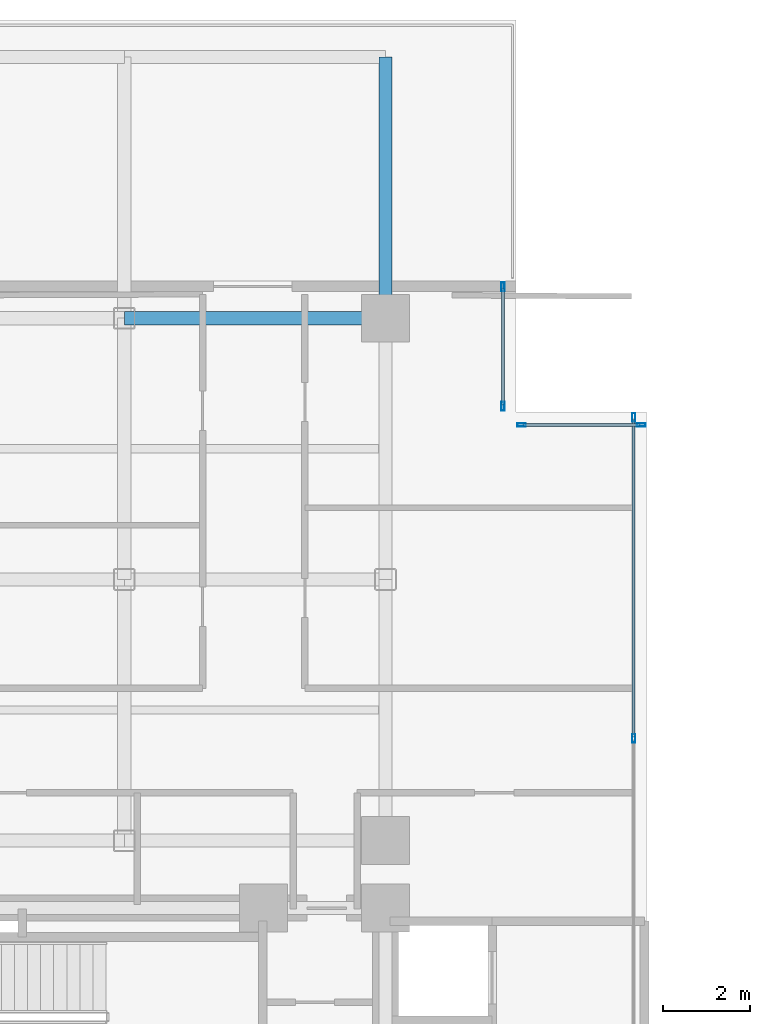
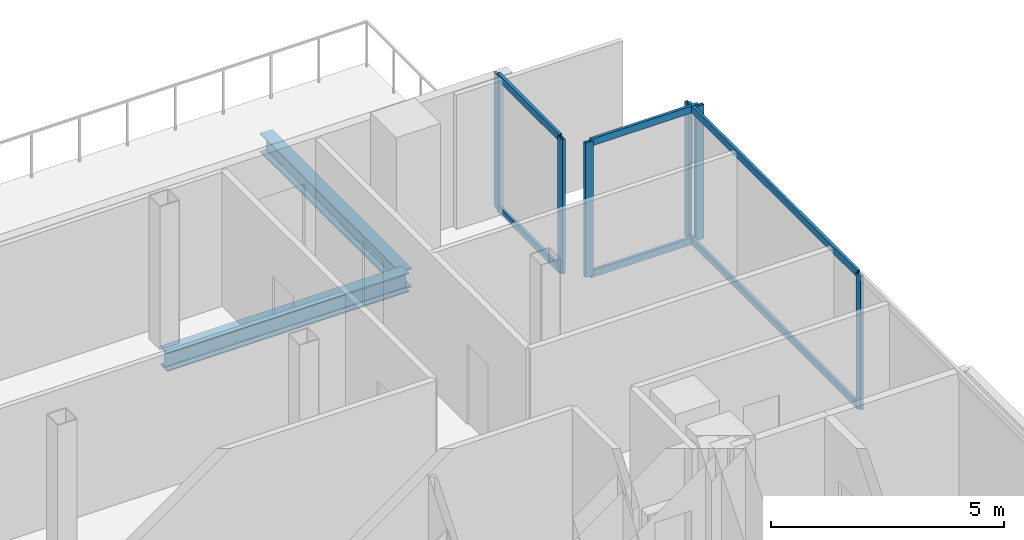
# One storey, part 17 of 26: 12 members, 2 beams, 3 elements without a shape of their own.
"""IFC4 building model written with IfcOpenShell, lengths in metres."""

import ifcopenshell
import ifcopenshell.guid

model = None  # the IFC model being written
_history = None  # IfcOwnerHistory: only IFC2X3 demands one
_inside = {}  # id of a spatial element -> (the spatial element, [elements in it])
_under = {}  # id of a project, library or spatial element -> (it, [spatial elements below it])
_declared = {}  # id of a project -> (the project, [libraries it declares])
_typed = {}  # id of a type object -> (the type object, [elements of that type])
_made_of = {}  # id of a material, layer set ... -> (it, [elements and type objects made of it])


def new_model(schema):
    """Start an empty IFC model of exactly this schema.

    Asked for "IFC4X3", IfcOpenShell would pick the latest addendum, in which some entities
    have other attributes; the version numbers below select the first issue.
    IFC2X3 requires an IfcOwnerHistory on every rooted entity: one is made here for all.
    """
    global model, _history
    if schema == "IFC4X3":
        model = ifcopenshell.file(schema_version=(4, 3, 0, 0))
    else:
        model = ifcopenshell.file(schema=schema)
    _inside.clear()
    _under.clear()
    _declared.clear()
    _typed.clear()
    _made_of.clear()
    _history = None
    if model.schema == "IFC2X3":
        org = make("IfcOrganization", Name="unknown")
        user = make(
            "IfcPersonAndOrganization",
            ThePerson=make("IfcPerson", FamilyName="unknown"),
            TheOrganization=org,
        )
        app = make(
            "IfcApplication",
            ApplicationDeveloper=org,
            Version="unknown",
            ApplicationFullName="unknown",
            ApplicationIdentifier="unknown",
        )
        _history = make(
            "IfcOwnerHistory",
            OwningUser=user,
            OwningApplication=app,
            ChangeAction="ADDED",
            CreationDate=0,
        )
    return model


def make(cls, **values):
    """One entity of the class cls with the attributes given. An attribute that is None is left unset."""
    return model.create_entity(
        cls, **{name: value for name, value in values.items() if value is not None}
    )


def rooted(cls, **values):
    """An entity with a GlobalId (a new one), such as an element, a storey or a relation."""
    return make(cls, GlobalId=ifcopenshell.guid.new(), OwnerHistory=_history, **values)


def si_unit(unit_type, name, prefix=None):
    """IfcSIUnit, for example si_unit("LENGTHUNIT", "METRE", prefix="MILLI")."""
    return make("IfcSIUnit", UnitType=unit_type, Prefix=prefix, Name=name)


def assignment(units):
    """IfcUnitAssignment: the units of a project."""
    return None if units is None else make("IfcUnitAssignment", Units=units)


def point(xyz):
    """IfcCartesianPoint."""
    return None if xyz is None else make("IfcCartesianPoint", Coordinates=xyz)


def direction(xyz):
    """IfcDirection."""
    return None if xyz is None else make("IfcDirection", DirectionRatios=xyz)


def frame(location, z_axis=None, x_axis=None):
    """IfcAxis2Placement3D, a coordinate frame: its origin and axes. An axis left out is left unset."""
    return make(
        "IfcAxis2Placement3D",
        Location=point(location),
        Axis=direction(z_axis),
        RefDirection=direction(x_axis),
    )


def frame_2d(location, x_axis=None):
    """IfcAxis2Placement2D, a coordinate frame in the plane: its origin and x axis."""
    return make(
        "IfcAxis2Placement2D", Location=point(location), RefDirection=direction(x_axis)
    )


def origin():
    """The frame at (0, 0, 0) with its axes left unset."""
    return frame((0.0, 0.0, 0.0))


def origin_2d():
    """The frame at (0, 0) in the plane with its x axis left unset."""
    return frame_2d((0.0, 0.0))


def place(relative_to, where):
    """IfcLocalPlacement: puts the frame where relative to a parent placement (None: the world)."""
    return make(
        "IfcLocalPlacement", PlacementRelTo=relative_to, RelativePlacement=where
    )


def context(
    kind, dimensions, precision=None, world=None, true_north=None, identifier=None
):
    """IfcGeometricRepresentationContext, for example the 3D "Model" context."""
    return make(
        "IfcGeometricRepresentationContext",
        ContextIdentifier=identifier,
        ContextType=kind,
        CoordinateSpaceDimension=dimensions,
        Precision=precision,
        WorldCoordinateSystem=world,
        TrueNorth=true_north,
    )


def subcontext(parent, identifier, kind, view, scale=None):
    """IfcGeometricRepresentationSubContext, for example "Body" below "Model"."""
    return make(
        "IfcGeometricRepresentationSubContext",
        ContextIdentifier=identifier,
        ContextType=kind,
        ParentContext=parent,
        TargetScale=scale,
        TargetView=view,
    )


def project(units=None, contexts=None):
    """IfcProject with its units and contexts."""
    return rooted(
        "IfcProject",
        Name="project",
        RepresentationContexts=contexts,
        UnitsInContext=assignment(units),
    )


def spatial(cls, under=None, at=None, **own):
    """A site, building, storey or space (cls), placed at a placement, below another one or the project."""
    s = rooted(cls, ObjectPlacement=at, **own)
    if under is not None:
        _under.setdefault(under.id(), (under, []))[1].append(s)
    return s


def profile(cls, at=None, kind="AREA", **sizes):
    """A parametric profile (cls). Its sizes go by their IFC names, for example OverallWidth=200.0."""
    return make(cls, ProfileType=kind, Position=at, **sizes)


def hollow_rectangle(**sizes):
    """IfcRectangleHollowProfileDef."""
    return profile("IfcRectangleHollowProfileDef", **sizes)


def i_section(**sizes):
    """IfcIShapeProfileDef."""
    return profile("IfcIShapeProfileDef", **sizes)


def extrude(swept, where, along, depth):
    """IfcExtrudedAreaSolid: the profile swept, set in the frame where, extruded along a direction by depth."""
    return make(
        "IfcExtrudedAreaSolid",
        SweptArea=swept,
        Position=where,
        ExtrudedDirection=direction(along),
        Depth=depth,
    )


def shape(context_of_items, identifier, shape_type, items):
    """IfcShapeRepresentation: the items that make up one representation, for example the "Body"."""
    return make(
        "IfcShapeRepresentation",
        ContextOfItems=context_of_items,
        RepresentationIdentifier=identifier,
        RepresentationType=shape_type,
        Items=items,
    )


def material(Name=None, Category=None):
    """IfcMaterial."""
    return make("IfcMaterial", Name=Name, Category=Category)


def layer(
    of_material, thickness, ventilated=None, Name=None, Category=None, Priority=None
):
    """IfcMaterialLayer: one layer of a wall or slab, of a material (None: an air gap)."""
    return make(
        "IfcMaterialLayer",
        Material=of_material,
        LayerThickness=thickness,
        IsVentilated=ventilated,
        Name=Name,
        Category=Category,
        Priority=Priority,
    )


def layer_set(layers, Name=None):
    """IfcMaterialLayerSet."""
    return make("IfcMaterialLayerSet", MaterialLayers=layers, LayerSetName=Name)


def material_profile(
    of_material, cross_section, Name=None, Category=None, Priority=None
):
    """IfcMaterialProfile: a cross section and its material."""
    return make(
        "IfcMaterialProfile",
        Name=Name,
        Material=of_material,
        Profile=cross_section,
        Priority=Priority,
        Category=Category,
    )


def profile_set(profiles, Name=None, composite=None):
    """IfcMaterialProfileSet."""
    return make(
        "IfcMaterialProfileSet",
        Name=Name,
        MaterialProfiles=profiles,
        CompositeProfile=composite,
    )


def made_of(thing, what):
    """Note that an element or type object is made of a material, layer set ...; save() writes the relation."""
    if what is not None:
        _made_of.setdefault(what.id(), (what, []))[1].append(thing)
    return thing


def type_object(cls, material=None, **own):
    """A type object (cls), such as IfcWallType, which elements share."""
    return made_of(rooted(cls, **own), material)


def element(
    cls,
    number,
    at=None,
    inside=None,
    cuts=None,
    type_object=None,
    material=None,
    context=None,
    identifier="Body",
    shape_type=None,
    held_by="IfcProductDefinitionShape",
    body=None,
    shapes=None,
    **own,
):
    """One element of the class cls, such as IfcWall. Its Tag is "e" and its number.

    at: its placement. inside: the storey or other place that contains it. cuts: it is an
    opening in that element (IfcRelVoidsElement). A single representation is given by context,
    identifier, shape_type and body (its items); several are given by shapes. held_by: the class
    of the entity that holds the representations. save() writes the other relations.
    """
    e = rooted(cls, Tag="e%d" % number, ObjectPlacement=at, **own)
    if body is not None:
        shapes = [shape(context, identifier, shape_type, body)]
    if shapes is not None:
        e.Representation = make(held_by, Representations=shapes)
    if inside is not None:
        _inside.setdefault(inside.id(), (inside, []))[1].append(e)
    if cuts is not None:
        rooted(
            "IfcRelVoidsElement", RelatingBuildingElement=cuts, RelatedOpeningElement=e
        )
    if type_object is not None:
        _typed.setdefault(type_object.id(), (type_object, []))[1].append(e)
    return made_of(e, material)


def aggregate(whole, parts):
    """IfcRelAggregates: a whole, such as a stair, and the parts it consists of."""
    return rooted("IfcRelAggregates", RelatingObject=whole, RelatedObjects=parts)


def save(model, path):
    """Write the relations noted so far, then the file.

    IfcRelAggregates (storeys below a building ...), IfcRelContainedInSpatialStructure (elements
    in a storey), IfcRelDefinesByType, IfcRelAssociatesMaterial and IfcRelDeclares: one each for
    every whole, place, type object, material and project.
    """
    for whole, parts in _under.values():
        aggregate(whole, parts)
    for where, things in _inside.values():
        rooted(
            "IfcRelContainedInSpatialStructure",
            RelatedElements=things,
            RelatingStructure=where,
        )
    for kind, things in _typed.values():
        rooted("IfcRelDefinesByType", RelatedObjects=things, RelatingType=kind)
    for what, things in _made_of.values():
        rooted("IfcRelAssociatesMaterial", RelatedObjects=things, RelatingMaterial=what)
    for by, libraries in _declared.values():
        rooted("IfcRelDeclares", RelatingContext=by, RelatedDefinitions=libraries)
    model.write(path)


model = new_model("IFC4")

# Units and contexts
model_context = context("Model", 3, precision=1e-05, world=origin(), true_north=direction((0.0, 1.0)))
body_context = subcontext(model_context, "Body", "Model", "MODEL_VIEW")
ifc_project = project(units=[si_unit("LENGTHUNIT", "METRE"), si_unit("AREAUNIT", "SQUARE_METRE"), si_unit("VOLUMEUNIT", "CUBIC_METRE"), si_unit("PLANEANGLEUNIT", "RADIAN"), si_unit("MASSUNIT", "GRAM", prefix="KILO"), si_unit("THERMODYNAMICTEMPERATUREUNIT", "KELVIN"), si_unit("POWERUNIT", "WATT")], contexts=[model_context])

# Site, building, storey
site_placement = place(None, origin())
site = spatial("IfcSite", under=ifc_project, at=site_placement, CompositionType="ELEMENT")
building_placement = place(site_placement, origin())
building = spatial("IfcBuilding", under=site, at=building_placement, Name="Svarakhadi Broadcast Tower", CompositionType="ELEMENT")
storey_placement = place(building_placement, frame((0.0, 0.0, 99.60009765625)))
storey = spatial("IfcBuildingStorey", under=building, at=storey_placement, Name="L23", CompositionType="ELEMENT", Elevation=99.60009765625)

# Curtain wall, members
ifc_material_1 = material(Name="Anodised Bronze Aluminium AA 6063-T6", Category="aluminium")
ifc_layer = layer(ifc_material_1, 0.199951171875)
ifc_layer_set = layer_set([ifc_layer], Name="Anodised Bronze Aluminium AA 6063-T6")
curtain_wall_type = type_object("IfcCurtainWallType", Name="CW_Sys_03", PredefinedType="NOTDEFINED", material=ifc_layer_set)
curtain_wall_1_placement = place(storey_placement, origin())
curtain_wall_1 = element("IfcCurtainWall", 1, at=curtain_wall_1_placement, inside=storey, type_object=curtain_wall_type, Name="L23 Unitised Facade Curtain Wall 06", PredefinedType="NOTDEFINED")
ifc_material_profile_1 = material_profile(ifc_material_1, hollow_rectangle(XDim=0.074951171875, YDim=0.199951171875, WallThickness=0.005615234375, at=origin_2d()), Name="ALU MULLION 200x75x6")
ifc_profile_set_1 = profile_set([ifc_material_profile_1], Name="Anodised Bronze Aluminium AA 6063-T6")
member_type_1 = type_object("IfcMemberType", Name="CW_Sys_03_Mul", PredefinedType="MULLION", material=ifc_profile_set_1)
member_1_placement = place(storey_placement, frame((20.699951171875, 41.87255859375, 0.0), z_axis=(0.0, 0.0, 1.0), x_axis=(1.0, 0.0, 0.0)))
member_1 = element("IfcMember", 2, at=member_1_placement, type_object=member_type_1, Name="CW-03 mullion 1", PredefinedType="MULLION", context=body_context, shape_type="SweptSolid", body=[
    extrude(hollow_rectangle(XDim=0.074951171875, YDim=0.199951171875, WallThickness=0.005615234375, at=origin_2d()), origin(), (0.0, 0.0, 1.0), 3.52490234375),
])
member_2_placement = place(storey_placement, frame((20.699951171875, 39.12744140625, 0.0), z_axis=(0.0, 0.0, 1.0), x_axis=(1.0, 0.0, 0.0)))
member_2 = element("IfcMember", 3, at=member_2_placement, type_object=member_type_1, Name="CW-03 mullion 2", PredefinedType="MULLION", context=body_context, shape_type="SweptSolid", body=[
    extrude(hollow_rectangle(XDim=0.074951171875, YDim=0.199951171875, WallThickness=0.005615234375, at=origin_2d()), origin(), (0.0, 0.0, 1.0), 3.52490234375),
])

curtain_wall_2_placement = place(storey_placement, origin())
curtain_wall_2 = element("IfcCurtainWall", 4, at=curtain_wall_2_placement, inside=storey, type_object=curtain_wall_type, Name="L23 Unitised Facade Curtain Wall 07", PredefinedType="NOTDEFINED")
member_3_placement = place(storey_placement, frame((21.12744140625, 38.699951171875, 0.0), z_axis=(0.0, 0.0, 1.0), x_axis=(0.0, 1.0, 0.0)))
member_3 = element("IfcMember", 5, at=member_3_placement, type_object=member_type_1, Name="CW-03 mullion 1", PredefinedType="MULLION", context=body_context, shape_type="SweptSolid", body=[
    extrude(hollow_rectangle(XDim=0.074951171875, YDim=0.199951171875, WallThickness=0.005615234375, at=origin_2d()), origin(), (0.0, 0.0, 1.0), 3.52490234375),
])
member_4_placement = place(storey_placement, frame((23.87255859375, 38.699951171875, 0.0), z_axis=(0.0, 0.0, 1.0), x_axis=(0.0, 1.0, 0.0)))
member_4 = element("IfcMember", 6, at=member_4_placement, type_object=member_type_1, Name="CW-03 mullion 2", PredefinedType="MULLION", context=body_context, shape_type="SweptSolid", body=[
    extrude(hollow_rectangle(XDim=0.074951171875, YDim=0.199951171875, WallThickness=0.005615234375, at=origin_2d()), origin(), (0.0, 0.0, 1.0), 3.52490234375),
])

curtain_wall_3_placement = place(storey_placement, origin())
curtain_wall_3 = element("IfcCurtainWall", 7, at=curtain_wall_3_placement, inside=storey, type_object=curtain_wall_type, Name="L23 Unitised Facade Curtain Wall 08", PredefinedType="NOTDEFINED")
member_5_placement = place(storey_placement, frame((23.699951171875, 38.87255859375, 0.0), z_axis=(0.0, 0.0, 1.0), x_axis=(1.0, 0.0, 0.0)))
member_5 = element("IfcMember", 8, at=member_5_placement, type_object=member_type_1, Name="CW-03 mullion 1", PredefinedType="MULLION", context=body_context, shape_type="SweptSolid", body=[
    extrude(hollow_rectangle(XDim=0.074951171875, YDim=0.199951171875, WallThickness=0.005615234375, at=origin_2d()), origin(), (0.0, 0.0, 1.0), 3.52490234375),
])
member_6_placement = place(storey_placement, frame((23.699951171875, 31.5, 0.0), z_axis=(0.0, 0.0, 1.0), x_axis=(1.0, 0.0, 0.0)))
member_6 = element("IfcMember", 9, at=member_6_placement, type_object=member_type_1, Name="CW-03 mullion 2", PredefinedType="MULLION", context=body_context, shape_type="SweptSolid", body=[
    extrude(hollow_rectangle(XDim=0.074951171875, YDim=0.199951171875, WallThickness=0.005615234375, at=origin_2d()), origin(), (0.0, 0.0, 1.0), 3.52490234375),
])

# Member
ifc_material_profile_2 = material_profile(ifc_material_1, hollow_rectangle(XDim=0.070068359375, YDim=0.18505859375, WallThickness=0.0048828125, at=origin_2d()), Name="ALU TRANSOM 185x70x5")
ifc_profile_set_2 = profile_set([ifc_material_profile_2], Name="Anodised Bronze Aluminium AA 6063-T6")
member_type_2 = type_object("IfcMemberType", Name="CW_Sys_03_Trn", PredefinedType="USERDEFINED", material=ifc_profile_set_2)
member_7_placement = place(storey_placement, frame((20.699951171875, 41.8349609375, 0.034912109375), z_axis=(0.0, -1.0, 0.0), x_axis=(1.0, 0.0, 0.0)))
member_7 = element("IfcMember", 10, at=member_7_placement, type_object=member_type_2, Name="CW-03 transom 1.1", ObjectType="TRANSOM", PredefinedType="USERDEFINED", context=body_context, shape_type="SweptSolid", body=[
    extrude(hollow_rectangle(XDim=0.070068359375, YDim=0.18505859375, WallThickness=0.0048828125, at=origin_2d()), origin(), (0.0, 0.0, 1.0), 2.669921875),
])

member_8_placement = place(storey_placement, frame((20.699951171875, 41.8349609375, 3.489990234375), z_axis=(0.0, -1.0, 0.0), x_axis=(1.0, 0.0, 0.0)))
member_8 = element("IfcMember", 11, at=member_8_placement, type_object=member_type_2, Name="CW-03 transom 1.2", ObjectType="TRANSOM", PredefinedType="USERDEFINED", context=body_context, shape_type="SweptSolid", body=[
    extrude(hollow_rectangle(XDim=0.070068359375, YDim=0.18505859375, WallThickness=0.0048828125, at=origin_2d()), origin(), (0.0, 0.0, 1.0), 2.669921875),
])

aggregate(curtain_wall_1, [member_1, member_2, member_7, member_8])

member_9_placement = place(storey_placement, frame((21.1650390625, 38.699951171875, 0.034912109375), z_axis=(1.0, 0.0, 0.0), x_axis=(0.0, 1.0, 0.0)))
member_9 = element("IfcMember", 12, at=member_9_placement, type_object=member_type_2, Name="CW-03 transom 1.1", ObjectType="TRANSOM", PredefinedType="USERDEFINED", context=body_context, shape_type="SweptSolid", body=[
    extrude(hollow_rectangle(XDim=0.070068359375, YDim=0.18505859375, WallThickness=0.0048828125, at=origin_2d()), origin(), (0.0, 0.0, 1.0), 2.669921875),
])

member_10_placement = place(storey_placement, frame((21.1650390625, 38.699951171875, 3.489990234375), z_axis=(1.0, 0.0, 0.0), x_axis=(0.0, 1.0, 0.0)))
member_10 = element("IfcMember", 13, at=member_10_placement, type_object=member_type_2, Name="CW-03 transom 1.2", ObjectType="TRANSOM", PredefinedType="USERDEFINED", context=body_context, shape_type="SweptSolid", body=[
    extrude(hollow_rectangle(XDim=0.070068359375, YDim=0.18505859375, WallThickness=0.0048828125, at=origin_2d()), origin(), (0.0, 0.0, 1.0), 2.669921875),
])

aggregate(curtain_wall_2, [member_3, member_4, member_9, member_10])

member_11_placement = place(storey_placement, frame((23.699951171875, 38.8349609375, 0.034912109375), z_axis=(0.0, -1.0, 0.0), x_axis=(1.0, 0.0, 0.0)))
member_11 = element("IfcMember", 14, at=member_11_placement, type_object=member_type_2, Name="CW-03 transom 1.1", ObjectType="TRANSOM", PredefinedType="USERDEFINED", context=body_context, shape_type="SweptSolid", body=[
    extrude(hollow_rectangle(XDim=0.070068359375, YDim=0.18505859375, WallThickness=0.0048828125, at=origin_2d()), origin(), (0.0, 0.0, 1.0), 7.29736328125),
])

member_12_placement = place(storey_placement, frame((23.699951171875, 38.8349609375, 3.489990234375), z_axis=(0.0, -1.0, 0.0), x_axis=(1.0, 0.0, 0.0)))
member_12 = element("IfcMember", 15, at=member_12_placement, type_object=member_type_2, Name="CW-03 transom 1.2", ObjectType="TRANSOM", PredefinedType="USERDEFINED", context=body_context, shape_type="SweptSolid", body=[
    extrude(hollow_rectangle(XDim=0.070068359375, YDim=0.18505859375, WallThickness=0.0048828125, at=origin_2d()), origin(), (0.0, 0.0, 1.0), 7.29736328125),
])

aggregate(curtain_wall_3, [member_5, member_6, member_11, member_12])

# Beams
ifc_material_2 = material(Name="Steel S355J2 (IS 2062 E350C)", Category="steel")
ifc_material_profile_3 = material_profile(ifc_material_2, i_section(OverallWidth=0.300048828125, OverallDepth=0.5, WebThickness=0.014404296875, FlangeThickness=0.028076171875, FilletRadius=0.027099609375, at=origin_2d()), Name="WPB 500x300x187")
ifc_profile_set_3 = profile_set([ifc_material_profile_3], Name="Steel S355J2 (IS 2062 E350C)")
beam_type = type_object("IfcBeamType", Name="Girder_WPB500", PredefinedType="USERDEFINED", material=ifc_profile_set_3)
for number, where, z_axis, x_axis, name in (
    (16, (18.0, 41.14990234375, -0.489990234375), (0.0, 1.0, 0.0), (-1.0, 0.0, 0.0), "L23 North Setback Terrace Bearer Girder"),
    (17, (12.0, 41.14990234375, -0.47509765625), (1.0, 0.0, 0.0), (0.0, 1.0, 0.0), "L23 Primary E-W Girder G041"),
):
    element("IfcBeam", number, at=place(storey_placement, frame(where, z_axis=z_axis, x_axis=x_axis)), inside=storey, type_object=beam_type, Name=name, ObjectType="GIRDER", PredefinedType="USERDEFINED", context=body_context, shape_type="SweptSolid", body=[
        extrude(i_section(OverallWidth=0.300048828125, OverallDepth=0.5, WebThickness=0.014404296875, FlangeThickness=0.028076171875, FilletRadius=0.027099609375, at=origin_2d()), origin(), (0.0, 0.0, 1.0), 6.0),
    ])

save(model, "model.ifc")
